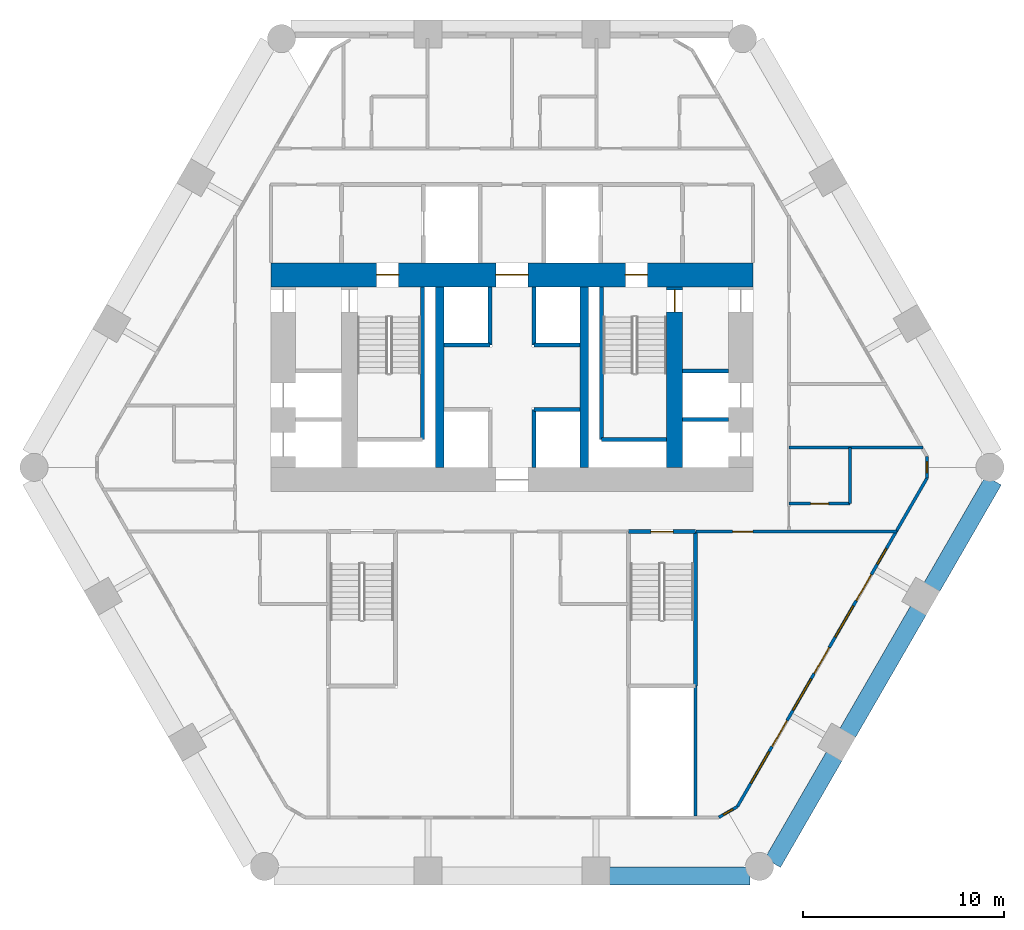
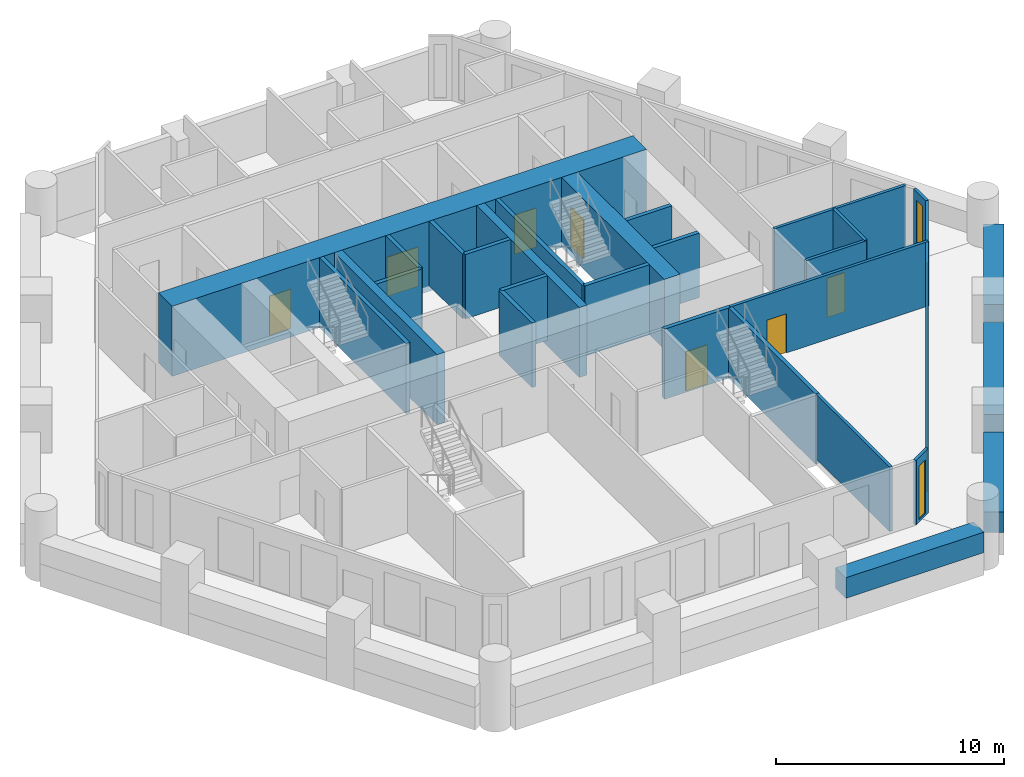
# One storey, part 4 of 8: 29 walls, 10 doors, 6 windows, 16 openings.
"""IFC4 building model written with IfcOpenShell, lengths in metres."""

from ifc_helpers import new_model, si_unit, direction, frame, frame_2d, origin, place, context, subcontext, project, spatial, rectangle, extrude, material, layer, layer_set, type_object, element, fill, save


model = new_model("IFC4")

# Units and contexts
model_context = context("Model", 3, precision=1e-05, world=origin(), true_north=direction((0.0, 1.0)))
body_context = subcontext(model_context, "Body", "Model", "MODEL_VIEW")
ifc_project = project(units=[si_unit("LENGTHUNIT", "METRE"), si_unit("AREAUNIT", "SQUARE_METRE"), si_unit("VOLUMEUNIT", "CUBIC_METRE"), si_unit("PLANEANGLEUNIT", "RADIAN"), si_unit("MASSUNIT", "GRAM", prefix="KILO")], contexts=[model_context])

# Site, building, storey
site_placement = place(None, origin())
site = spatial("IfcSite", under=ifc_project, at=site_placement, CompositionType="ELEMENT")
building_placement = place(site_placement, origin())
building = spatial("IfcBuilding", under=site, at=building_placement, Name="Ostrander Bayou Hotel Tower", CompositionType="ELEMENT")
storey_placement = place(building_placement, frame((0.0, 0.0, 50.5)))
storey = spatial("IfcBuildingStorey", under=building, at=storey_placement, Name="L12", CompositionType="ELEMENT", Elevation=50.5)

# Wall, openings, doors
ifc_material_1 = material(Name="Concrete f'c 70 MPa", Category="concrete")
ifc_layer_1 = layer(ifc_material_1, 1.199951171875)
ifc_layer_set_1 = layer_set([ifc_layer_1], Name="CW1 core wall 1200 mm f'c 70 MPa")
wall_type_1 = type_object("IfcWallType", Name="CW1 core wall 1200 mm f'c 70 MPa", PredefinedType="SHEAR", material=ifc_layer_set_1)
wall_1_placement = place(storey_placement, frame((-12.0, 9.10009765625, -0.300048828125), z_axis=(0.0, 0.0, 1.0), x_axis=(1.0, 0.0, 0.0)))
wall_1 = element("IfcWall", 1, at=wall_1_placement, inside=storey, type_object=wall_type_1, Name="CW1 L12 N", PredefinedType="SHEAR", context=body_context, shape_type="SweptSolid", body=[
    extrude(rectangle(XDim=24.0, YDim=1.199951171875, at=frame_2d((12.0, 0.0))), origin(), (0.0, 0.0, 1.0), 3.75),
])
opening_1_placement = place(wall_1_placement, frame((11.199951171875, 0.0, 0.0)))
opening_1 = element("IfcOpeningElement", 2, at=opening_1_placement, cuts=wall_1, Name="Opening T12-002", PredefinedType="OPENING", context=body_context, shape_type="SweptSolid", body=[
    extrude(rectangle(XDim=1.60009765625, YDim=2.10009765625, at=frame_2d((0.800048828125, 1.050048828125))), frame((0.0, 0.60009765625, 0.0), z_axis=(0.0, -1.0, 0.0), x_axis=(1.0, 0.0, 0.0)), (0.0, 0.0, 1.0), 1.199951171875),
])
opening_2_placement = place(wall_1_placement, frame((5.25, 0.0, 0.0)))
opening_2 = element("IfcOpeningElement", 3, at=opening_2_placement, cuts=wall_1, Name="Opening T12-003", PredefinedType="OPENING", context=body_context, shape_type="SweptSolid", body=[
    extrude(rectangle(XDim=1.10009765625, YDim=2.10009765625, at=frame_2d((0.550048828125, 1.050048828125))), frame((0.0, 0.60009765625, 0.0), z_axis=(0.0, -1.0, 0.0), x_axis=(1.0, 0.0, 0.0)), (0.0, 0.0, 1.0), 1.199951171875),
])
opening_3_placement = place(wall_1_placement, frame((17.64990234375, 0.0, 0.0)))
opening_3 = element("IfcOpeningElement", 4, at=opening_3_placement, cuts=wall_1, Name="Opening T12-005", PredefinedType="OPENING", context=body_context, shape_type="SweptSolid", body=[
    extrude(rectangle(XDim=1.10009765625, YDim=2.10009765625, at=frame_2d((0.550048828125, 1.050048828125))), frame((0.0, 0.60009765625, 0.0), z_axis=(0.0, -1.0, 0.0), x_axis=(1.0, 0.0, 0.0)), (0.0, 0.0, 1.0), 1.199951171875),
])
ifc_material_2 = material(Name="Timber door leaf", Category="wood")
door_type_1 = type_object("IfcDoorType", Name="D13 double door 1600 x 2100 mm, 1 hour", OperationType="SINGLE_SWING_LEFT", PredefinedType="DOOR", material=ifc_material_2)
door_1_placement = place(opening_1_placement, origin())
door_1 = element("IfcDoor", 5, at=door_1_placement, inside=storey, type_object=door_type_1, Name="dr:L12:002", OperationType="DOUBLE_DOOR_SINGLE_SWING", OverallHeight=2.10009765625, OverallWidth=1.60009765625, PredefinedType="DOOR", context=body_context, shape_type="SweptSolid", body=[
    extrude(rectangle(XDim=1.60009765625, YDim=2.10009765625, at=frame_2d((0.800048828125, 1.050048828125))), frame((0.0, 0.02490234375, 0.0), z_axis=(0.0, -1.0, 0.0), x_axis=(1.0, 0.0, 0.0)), (0.0, 0.0, 1.0), 0.050048828125),
])
fill(opening_1, door_1)
ifc_material_3 = material(Name="Timber door leaf", Category="wood")
door_type_2 = type_object("IfcDoorType", Name="D5 stair door 1100 x 2100 mm, 90 minute", OperationType="SINGLE_SWING_LEFT", PredefinedType="DOOR", material=ifc_material_3)
door_2_placement = place(opening_2_placement, origin())
door_2 = element("IfcDoor", 6, at=door_2_placement, inside=storey, type_object=door_type_2, Name="dr:L12:003", OperationType="SINGLE_SWING_LEFT", OverallHeight=2.10009765625, OverallWidth=1.10009765625, PredefinedType="DOOR", context=body_context, shape_type="SweptSolid", body=[
    extrude(rectangle(XDim=1.10009765625, YDim=2.10009765625, at=frame_2d((0.550048828125, 1.050048828125))), frame((0.0, 0.02490234375, 0.0), z_axis=(0.0, -1.0, 0.0), x_axis=(1.0, 0.0, 0.0)), (0.0, 0.0, 1.0), 0.050048828125),
])
fill(opening_2, door_2)
door_3_placement = place(opening_3_placement, origin())
door_3 = element("IfcDoor", 7, at=door_3_placement, inside=storey, type_object=door_type_2, Name="dr:L12:005", OperationType="SINGLE_SWING_RIGHT", OverallHeight=2.10009765625, OverallWidth=1.10009765625, PredefinedType="DOOR", context=body_context, shape_type="SweptSolid", body=[
    extrude(rectangle(XDim=1.10009765625, YDim=2.10009765625, at=frame_2d((0.550048828125, 1.050048828125))), frame((0.0, 0.02490234375, 0.0), z_axis=(0.0, -1.0, 0.0), x_axis=(1.0, 0.0, 0.0)), (0.0, 0.0, 1.0), 0.050048828125),
])
fill(opening_3, door_3)

# Wall, opening, door
ifc_material_4 = material(Name="Concrete f'c 70 MPa", Category="concrete")
ifc_layer_2 = layer(ifc_material_4, 0.800048828125)
ifc_layer_set_2 = layer_set([ifc_layer_2], Name="CW2 core spine wall 800 mm f'c 70 MPa")
wall_type_2 = type_object("IfcWallType", Name="CW2 core spine wall 800 mm f'c 70 MPa", PredefinedType="SHEAR", material=ifc_layer_set_2)
wall_2_placement = place(storey_placement, frame((8.10009765625, -0.5, -0.300048828125), z_axis=(0.0, 0.0, 1.0), x_axis=(0.0, 1.0, 0.0)))
wall_2 = element("IfcWall", 8, at=wall_2_placement, inside=storey, type_object=wall_type_2, Name="CW2 L12 E", PredefinedType="SHEAR", context=body_context, shape_type="SweptSolid", body=[
    extrude(rectangle(XDim=9.0, YDim=0.800048828125, at=frame_2d((4.5, 0.0))), origin(), (0.0, 0.0, 1.0), 3.75),
])
opening_4_placement = place(wall_2_placement, frame((7.75, 0.0, 0.0)))
opening_4 = element("IfcOpeningElement", 9, at=opening_4_placement, cuts=wall_2, Name="Opening T12-006", PredefinedType="OPENING", context=body_context, shape_type="SweptSolid", body=[
    extrude(rectangle(XDim=1.10009765625, YDim=2.10009765625, at=frame_2d((0.550048828125, 1.050048828125))), frame((0.0, 0.39990234375, 0.0), z_axis=(0.0, -1.0, 0.0), x_axis=(1.0, 0.0, 0.0)), (0.0, 0.0, 1.0), 0.800048828125),
])
door_4_placement = place(opening_4_placement, origin())
door_4 = element("IfcDoor", 10, at=door_4_placement, inside=storey, type_object=door_type_2, Name="dr:L12:006", OperationType="SINGLE_SWING_LEFT", OverallHeight=2.10009765625, OverallWidth=1.10009765625, PredefinedType="DOOR", context=body_context, shape_type="SweptSolid", body=[
    extrude(rectangle(XDim=1.10009765625, YDim=2.10009765625, at=frame_2d((0.550048828125, 1.050048828125))), frame((0.0, 0.02490234375, 0.0), z_axis=(0.0, -1.0, 0.0), x_axis=(1.0, 0.0, 0.0)), (0.0, 0.0, 1.0), 0.050048828125),
])
fill(opening_4, door_4)

# Walls
ifc_material_5 = material(Name="Concrete f'c 70 MPa", Category="concrete")
ifc_layer_3 = layer(ifc_material_5, 0.39990234375)
ifc_layer_set_3 = layer_set([ifc_layer_3], Name="CW3 core bank wall 400 mm f'c 70 MPa")
wall_type_3 = type_object("IfcWallType", Name="CW3 core bank wall 400 mm f'c 70 MPa", PredefinedType="SHEAR", material=ifc_layer_set_3)
for number, where, z_axis, x_axis, name in (
    (11, (-3.60009765625, -0.5, -0.300048828125), (0.0, 0.0, 1.0), (0.0, 1.0, 0.0), "CW3 L12 CW"),
    (12, (3.60009765625, -0.5, -0.300048828125), (0.0, 0.0, 1.0), (0.0, 1.0, 0.0), "CW3 L12 CE"),
):
    element("IfcWall", number, at=place(storey_placement, frame(where, z_axis=z_axis, x_axis=x_axis)), inside=storey, type_object=wall_type_3, Name=name, PredefinedType="SHEAR", context=body_context, shape_type="SweptSolid", body=[
        extrude(rectangle(XDim=9.0, YDim=0.39990234375, at=frame_2d((4.5, 0.0))), origin(), (0.0, 0.0, 1.0), 3.75),
    ])

# Wall, openings, doors, windows
ifc_material_6 = material(Name="Aluminium framed insulated wall", Category="aluminium")
ifc_layer_4 = layer(ifc_material_6, 0.14990234375)
ifc_layer_set_4 = layer_set([ifc_layer_4], Name="GW1 glass-line wall 150 mm")
wall_type_4 = type_object("IfcWallType", Name="GW1 glass-line wall 150 mm", PredefinedType="SOLIDWALL", material=ifc_layer_set_4)
wall_3_placement = place(storey_placement, frame((11.228515625, -17.401611328125, 0.0), z_axis=(0.0, 0.0, 1.0), x_axis=(0.500004426522, 0.866022848116, 0.0)))
wall_3 = element("IfcWall", 13, at=wall_3_placement, inside=storey, type_object=wall_type_4, Name="GW1 L12 SE 1", PredefinedType="SOLIDWALL", context=body_context, shape_type="SweptSolid", body=[
    extrude(rectangle(XDim=18.911865234375, YDim=0.14990234375, at=frame_2d((9.4560546875, 0.0))), origin(), (0.0, 0.0, 1.0), 3.449951171875),
])
opening_5_placement = place(wall_3_placement, frame((1.35595703125, 0.0, 0.14990234375)))
opening_5 = element("IfcOpeningElement", 14, at=opening_5_placement, cuts=wall_3, Name="Opening W1", PredefinedType="OPENING", context=body_context, shape_type="SweptSolid", body=[
    extrude(rectangle(XDim=1.800048828125, YDim=2.85009765625, at=frame_2d((0.89990234375, 1.425048828125))), frame((0.0, 0.074951171875, 0.0), z_axis=(0.0, -1.0, 0.0), x_axis=(1.0, 0.0, 0.0)), (0.0, 0.0, 1.0), 0.14990234375),
])
opening_6_placement = place(wall_3_placement, frame((3.455810546875, 0.0, 0.0)))
opening_6 = element("IfcOpeningElement", 15, at=opening_6_placement, cuts=wall_3, Name="Opening T12-804", PredefinedType="OPENING", context=body_context, shape_type="SweptSolid", body=[
    extrude(rectangle(XDim=1.5, YDim=2.39990234375, at=frame_2d((0.75, 1.199951171875))), frame((0.0, 0.074951171875, 0.0), z_axis=(0.0, -1.0, 0.0), x_axis=(1.0, 0.0, 0.0)), (0.0, 0.0, 1.0), 0.14990234375),
])
opening_7_placement = place(wall_3_placement, frame((5.555908203125, 0.0, 0.14990234375)))
opening_7 = element("IfcOpeningElement", 16, at=opening_7_placement, cuts=wall_3, Name="Opening W1", PredefinedType="OPENING", context=body_context, shape_type="SweptSolid", body=[
    extrude(rectangle(XDim=1.800048828125, YDim=2.85009765625, at=frame_2d((0.89990234375, 1.425048828125))), frame((0.0, 0.074951171875, 0.0), z_axis=(0.0, -1.0, 0.0), x_axis=(1.0, 0.0, 0.0)), (0.0, 0.0, 1.0), 0.14990234375),
])
opening_8_placement = place(wall_3_placement, frame((7.656005859375, 0.0, 0.0)))
opening_8 = element("IfcOpeningElement", 17, at=opening_8_placement, cuts=wall_3, Name="Opening T12-805", PredefinedType="OPENING", context=body_context, shape_type="SweptSolid", body=[
    extrude(rectangle(XDim=1.5, YDim=2.39990234375, at=frame_2d((0.75, 1.199951171875))), frame((0.0, 0.074951171875, 0.0), z_axis=(0.0, -1.0, 0.0), x_axis=(1.0, 0.0, 0.0)), (0.0, 0.0, 1.0), 0.14990234375),
])
opening_9_placement = place(wall_3_placement, frame((9.755859375, 0.0, 0.14990234375)))
opening_9 = element("IfcOpeningElement", 18, at=opening_9_placement, cuts=wall_3, Name="Opening W1", PredefinedType="OPENING", context=body_context, shape_type="SweptSolid", body=[
    extrude(rectangle(XDim=1.800048828125, YDim=2.85009765625, at=frame_2d((0.89990234375, 1.425048828125))), frame((0.0, 0.074951171875, 0.0), z_axis=(0.0, -1.0, 0.0), x_axis=(1.0, 0.0, 0.0)), (0.0, 0.0, 1.0), 0.14990234375),
])
opening_10_placement = place(wall_3_placement, frame((11.85595703125, 0.0, 0.0)))
opening_10 = element("IfcOpeningElement", 19, at=opening_10_placement, cuts=wall_3, Name="Opening T12-806", PredefinedType="OPENING", context=body_context, shape_type="SweptSolid", body=[
    extrude(rectangle(XDim=1.5, YDim=2.39990234375, at=frame_2d((0.75, 1.199951171875))), frame((0.0, 0.074951171875, 0.0), z_axis=(0.0, -1.0, 0.0), x_axis=(1.0, 0.0, 0.0)), (0.0, 0.0, 1.0), 0.14990234375),
])
opening_11_placement = place(wall_3_placement, frame((13.955810546875, 0.0, 0.14990234375)))
opening_11 = element("IfcOpeningElement", 20, at=opening_11_placement, cuts=wall_3, Name="Opening W15", PredefinedType="OPENING", context=body_context, shape_type="SweptSolid", body=[
    extrude(rectangle(XDim=0.89990234375, YDim=2.85009765625, at=frame_2d((0.449951171875, 1.425048828125))), frame((0.0, 0.074951171875, 0.0), z_axis=(0.0, -1.0, 0.0), x_axis=(1.0, 0.0, 0.0)), (0.0, 0.0, 1.0), 0.14990234375),
])
ifc_material_7 = material(Name="Aluminium and clear glass", Category="aluminium")
door_type_3 = type_object("IfcDoorType", Name="SD1 sliding glass door 1500 mm, zone 1", OperationType="SLIDING_TO_LEFT", PredefinedType="DOOR", material=ifc_material_7)
door_5_placement = place(opening_6_placement, origin())
door_5 = element("IfcDoor", 21, at=door_5_placement, inside=storey, type_object=door_type_3, Name="SD1 L12 SE 1", OperationType="SLIDING_TO_LEFT", OverallHeight=2.39990234375, OverallWidth=1.5, PredefinedType="DOOR", context=body_context, shape_type="SweptSolid", body=[
    extrude(rectangle(XDim=1.5, YDim=2.39990234375, at=frame_2d((0.75, 1.199951171875))), frame((0.0, 0.02490234375, 0.0), z_axis=(0.0, -1.0, 0.0), x_axis=(1.0, 0.0, 0.0)), (0.0, 0.0, 1.0), 0.050048828125),
])
fill(opening_6, door_5)
door_6_placement = place(opening_8_placement, origin())
door_6 = element("IfcDoor", 22, at=door_6_placement, inside=storey, type_object=door_type_3, Name="SD1 L12 SE 2", OperationType="SLIDING_TO_RIGHT", OverallHeight=2.39990234375, OverallWidth=1.5, PredefinedType="DOOR", context=body_context, shape_type="SweptSolid", body=[
    extrude(rectangle(XDim=1.5, YDim=2.39990234375, at=frame_2d((0.75, 1.199951171875))), frame((0.0, 0.02490234375, 0.0), z_axis=(0.0, -1.0, 0.0), x_axis=(1.0, 0.0, 0.0)), (0.0, 0.0, 1.0), 0.050048828125),
])
fill(opening_8, door_6)
door_7_placement = place(opening_10_placement, origin())
door_7 = element("IfcDoor", 23, at=door_7_placement, inside=storey, type_object=door_type_3, Name="SD1 L12 SE 3", OperationType="SLIDING_TO_LEFT", OverallHeight=2.39990234375, OverallWidth=1.5, PredefinedType="DOOR", context=body_context, shape_type="SweptSolid", body=[
    extrude(rectangle(XDim=1.5, YDim=2.39990234375, at=frame_2d((0.75, 1.199951171875))), frame((0.0, 0.02490234375, 0.0), z_axis=(0.0, -1.0, 0.0), x_axis=(1.0, 0.0, 0.0)), (0.0, 0.0, 1.0), 0.050048828125),
])
fill(opening_10, door_7)
ifc_material_8 = material(Name="Aluminium and clear glass", Category="aluminium")
window_type_1 = type_object("IfcWindowType", Name="W1 fixed window 1800 mm, zone 1", PartitioningType="SINGLE_PANEL", PredefinedType="WINDOW", material=ifc_material_8)
window_1_placement = place(opening_5_placement, origin())
window_1 = element("IfcWindow", 24, at=window_1_placement, inside=storey, type_object=window_type_1, Name="W1 L12 SE 1", OverallHeight=2.85009765625, OverallWidth=1.800048828125, PartitioningType="SINGLE_PANEL", PredefinedType="WINDOW", context=body_context, shape_type="SweptSolid", body=[
    extrude(rectangle(XDim=1.800048828125, YDim=2.85009765625, at=frame_2d((0.89990234375, 1.425048828125))), frame((0.0, 0.030029296875, 0.0), z_axis=(0.0, -1.0, 0.0), x_axis=(1.0, 0.0, 0.0)), (0.0, 0.0, 1.0), 0.06005859375),
])
fill(opening_5, window_1)
window_2_placement = place(opening_7_placement, origin())
window_2 = element("IfcWindow", 25, at=window_2_placement, inside=storey, type_object=window_type_1, Name="W1 L12 SE 2", OverallHeight=2.85009765625, OverallWidth=1.800048828125, PartitioningType="SINGLE_PANEL", PredefinedType="WINDOW", context=body_context, shape_type="SweptSolid", body=[
    extrude(rectangle(XDim=1.800048828125, YDim=2.85009765625, at=frame_2d((0.89990234375, 1.425048828125))), frame((0.0, 0.030029296875, 0.0), z_axis=(0.0, -1.0, 0.0), x_axis=(1.0, 0.0, 0.0)), (0.0, 0.0, 1.0), 0.06005859375),
])
fill(opening_7, window_2)
window_3_placement = place(opening_9_placement, origin())
window_3 = element("IfcWindow", 26, at=window_3_placement, inside=storey, type_object=window_type_1, Name="W1 L12 SE 3", OverallHeight=2.85009765625, OverallWidth=1.800048828125, PartitioningType="SINGLE_PANEL", PredefinedType="WINDOW", context=body_context, shape_type="SweptSolid", body=[
    extrude(rectangle(XDim=1.800048828125, YDim=2.85009765625, at=frame_2d((0.89990234375, 1.425048828125))), frame((0.0, 0.030029296875, 0.0), z_axis=(0.0, -1.0, 0.0), x_axis=(1.0, 0.0, 0.0)), (0.0, 0.0, 1.0), 0.06005859375),
])
fill(opening_9, window_3)
ifc_material_9 = material(Name="Aluminium and clear glass", Category="aluminium")
window_type_2 = type_object("IfcWindowType", Name="W15 window 900 mm, zone 1", PartitioningType="SINGLE_PANEL", PredefinedType="WINDOW", material=ifc_material_9)
window_4_placement = place(opening_11_placement, origin())
window_4 = element("IfcWindow", 27, at=window_4_placement, inside=storey, type_object=window_type_2, Name="W15 L12 SE 4", OverallHeight=2.85009765625, OverallWidth=0.89990234375, PartitioningType="SINGLE_PANEL", PredefinedType="WINDOW", context=body_context, shape_type="SweptSolid", body=[
    extrude(rectangle(XDim=0.89990234375, YDim=2.85009765625, at=frame_2d((0.449951171875, 1.425048828125))), frame((0.0, 0.030029296875, 0.0), z_axis=(0.0, -1.0, 0.0), x_axis=(1.0, 0.0, 0.0)), (0.0, 0.0, 1.0), 0.06005859375),
])
fill(opening_11, window_4)

# Wall, opening, window
wall_4_placement = place(storey_placement, frame((10.306396484375, -17.93408203125, 0.0), z_axis=(0.0, 0.0, 1.0), x_axis=(0.865990848561, 0.500059846627, 0.0)))
wall_4 = element("IfcWall", 28, at=wall_4_placement, inside=storey, type_object=wall_type_4, Name="GW1 L12 corner 4", PredefinedType="SOLIDWALL", context=body_context, shape_type="SweptSolid", body=[
    extrude(rectangle(XDim=1.064697265625, YDim=0.14990234375, at=frame_2d((0.5322265625, 0.0))), origin(), (0.0, 0.0, 1.0), 3.449951171875),
])
opening_12_placement = place(wall_4_placement, frame((0.257568359375, 0.0, 0.14990234375)))
opening_12 = element("IfcOpeningElement", 29, at=opening_12_placement, cuts=wall_4, Name="Opening W19", PredefinedType="OPENING", context=body_context, shape_type="SweptSolid", body=[
    extrude(rectangle(XDim=0.550048828125, YDim=2.85009765625, at=frame_2d((0.27490234375, 1.425048828125))), frame((0.0, 0.074951171875, 0.0), z_axis=(0.0, -1.0, 0.0), x_axis=(1.0, 0.0, 0.0)), (0.0, 0.0, 1.0), 0.14990234375),
])
ifc_material_10 = material(Name="Aluminium and clear glass", Category="aluminium")
window_type_3 = type_object("IfcWindowType", Name="W19 corner window 550 mm", PartitioningType="SINGLE_PANEL", PredefinedType="WINDOW", material=ifc_material_10)
window_5_placement = place(opening_12_placement, origin())
window_5 = element("IfcWindow", 30, at=window_5_placement, inside=storey, type_object=window_type_3, Name="W19 L12 corner 4", OverallHeight=2.85009765625, OverallWidth=0.550048828125, PartitioningType="SINGLE_PANEL", PredefinedType="WINDOW", context=body_context, shape_type="SweptSolid", body=[
    extrude(rectangle(XDim=0.550048828125, YDim=2.85009765625, at=frame_2d((0.27490234375, 1.425048828125))), frame((0.0, 0.030029296875, 0.0), z_axis=(0.0, -1.0, 0.0), x_axis=(1.0, 0.0, 0.0)), (0.0, 0.0, 1.0), 0.06005859375),
])
fill(opening_12, window_5)

wall_5_placement = place(storey_placement, frame((20.6845703125, -1.0234375, 0.0), z_axis=(0.0, 0.0, 1.0), x_axis=(0.0, 1.0, 0.0)))
wall_5 = element("IfcWall", 31, at=wall_5_placement, inside=storey, type_object=wall_type_4, Name="GW1 L12 corner 5", PredefinedType="SOLIDWALL", context=body_context, shape_type="SweptSolid", body=[
    extrude(rectangle(XDim=1.06494140625, YDim=0.14990234375, at=frame_2d((0.532470703125, 0.0))), origin(), (0.0, 0.0, 1.0), 3.449951171875),
])
opening_13_placement = place(wall_5_placement, frame((0.257568359375, 0.0, 0.14990234375)))
opening_13 = element("IfcOpeningElement", 32, at=opening_13_placement, cuts=wall_5, Name="Opening W19", PredefinedType="OPENING", context=body_context, shape_type="SweptSolid", body=[
    extrude(rectangle(XDim=0.550048828125, YDim=2.85009765625, at=frame_2d((0.27490234375, 1.425048828125))), frame((0.0, 0.074951171875, 0.0), z_axis=(0.0, -1.0, 0.0), x_axis=(1.0, 0.0, 0.0)), (0.0, 0.0, 1.0), 0.14990234375),
])
window_6_placement = place(opening_13_placement, origin())
window_6 = element("IfcWindow", 33, at=window_6_placement, inside=storey, type_object=window_type_3, Name="W19 L12 corner 5", OverallHeight=2.85009765625, OverallWidth=0.550048828125, PartitioningType="SINGLE_PANEL", PredefinedType="WINDOW", context=body_context, shape_type="SweptSolid", body=[
    extrude(rectangle(XDim=0.550048828125, YDim=2.85009765625, at=frame_2d((0.27490234375, 1.425048828125))), frame((0.0, 0.030029296875, 0.0), z_axis=(0.0, -1.0, 0.0), x_axis=(1.0, 0.0, 0.0)), (0.0, 0.0, 1.0), 0.06005859375),
])
fill(opening_13, window_6)

# Walls
ifc_material_11 = material(Name="Concrete f'c 40 MPa", Category="concrete")
ifc_layer_5 = layer(ifc_material_11, 0.89990234375)
ifc_layer_set_5 = layer_set([ifc_layer_5], Name="PA1 stone-faced parapet 900 mm")
wall_type_5 = type_object("IfcWallType", Name="PA1 stone-faced parapet 900 mm", PredefinedType="PARAPET", material=ifc_layer_set_5)
wall_6_placement = place(storey_placement, frame((4.865478515625, -20.85888671875, 0.0), z_axis=(0.0, 0.0, 1.0), x_axis=(1.0, 0.0, 0.0)))
element("IfcWall", 34, at=wall_6_placement, inside=storey, type_object=wall_type_5, Name="PA1 L12 S-3", PredefinedType="PARAPET", context=body_context, shape_type="SweptSolid", body=[
    extrude(rectangle(XDim=6.98681640625, YDim=0.89990234375, at=frame_2d((3.493408203125, 0.0))), origin(), (0.0, 0.0, 1.0), 1.10009765625),
])
ifc_material_12 = material(Name="Limestone masonry", Category="masonry")
ifc_layer_6 = layer(ifc_material_12, 0.89990234375)
ifc_layer_set_6 = layer_set([ifc_layer_6], Name="PA2 limestone parapet 900 mm")
wall_type_6 = type_object("IfcWallType", Name="PA2 limestone parapet 900 mm", PredefinedType="PARAPET", material=ifc_layer_set_6)
wall_7_placement = place(storey_placement, frame((12.988525390625, -20.203125, 0.0), z_axis=(0.0, 0.0, 1.0), x_axis=(0.500007141444, 0.86602128063, 0.0)))
element("IfcWall", 35, at=wall_7_placement, inside=storey, type_object=wall_type_6, Name="PA2 L12 SE-1", PredefinedType="PARAPET", context=body_context, shape_type="SweptSolid", body=[
    extrude(rectangle(XDim=6.13671875, YDim=0.89990234375, at=frame_2d((3.068359375, 0.0))), origin(), (0.0, 0.0, 1.0), 1.10009765625),
])
wall_8_placement = place(storey_placement, frame((16.726806640625, -13.72802734375, 0.0), z_axis=(0.0, 0.0, 1.0), x_axis=(0.499997206141, 0.866027016814, 0.0)))
element("IfcWall", 36, at=wall_8_placement, inside=storey, type_object=wall_type_6, Name="PA2 L12 SE-2", PredefinedType="PARAPET", context=body_context, shape_type="SweptSolid", body=[
    extrude(rectangle(XDim=7.05078125, YDim=0.89990234375, at=frame_2d((3.525390625, 0.0))), origin(), (0.0, 0.0, 1.0), 1.10009765625),
])
wall_9_placement = place(storey_placement, frame((20.92236328125, -6.46142578125, 0.0), z_axis=(0.0, 0.0, 1.0), x_axis=(0.500007141444, 0.86602128063, 0.0)))
element("IfcWall", 37, at=wall_9_placement, inside=storey, type_object=wall_type_6, Name="PA2 L12 SE-3", PredefinedType="PARAPET", context=body_context, shape_type="SweptSolid", body=[
    extrude(rectangle(XDim=6.13671875, YDim=0.89990234375, at=frame_2d((3.068359375, 0.0))), origin(), (0.0, 0.0, 1.0), 1.10009765625),
])
ifc_material_13 = material(Name="Masonry block", Category="masonry")
ifc_layer_7 = layer(ifc_material_13, 0.199951171875)
ifc_layer_set_7 = layer_set([ifc_layer_7], Name="PT6 lift shaft wall 200 mm masonry, 2 hour")
wall_type_7 = type_object("IfcWallType", Name="PT6 lift shaft wall 200 mm masonry, 2 hour", PredefinedType="PARTITIONING", material=ifc_layer_set_7)
for number, where, z_axis, x_axis, name in (
    (38, (-3.39990234375, 5.60009765625, 0.0), (0.0, 0.0, 1.0), (1.0, 0.0, 0.0), "cs:L12:002"),
    (39, (1.10009765625, 2.39990234375, 0.0), (0.0, 0.0, 1.0), (1.0, 0.0, 0.0), "cs:L12:003"),
    (40, (1.10009765625, 5.60009765625, 0.0), (0.0, 0.0, 1.0), (1.0, 0.0, 0.0), "cs:L12:004"),
):
    element("IfcWall", number, at=place(storey_placement, frame(where, z_axis=z_axis, x_axis=x_axis)), inside=storey, type_object=wall_type_7, Name=name, PredefinedType="PARTITIONING", context=body_context, shape_type="SweptSolid", body=[
        extrude(rectangle(XDim=2.2998046875, YDim=0.199951171875, at=frame_2d((1.14990234375, 0.0))), origin(), (0.0, 0.0, 1.0), 3.449951171875),
    ])
for number, where, z_axis, x_axis, name in (
    (41, (1.10009765625, -0.5, 0.0), (0.0, 0.0, 1.0), (0.0, 1.0, 0.0), "cs:L12:006"),
    (42, (-1.10009765625, 5.60009765625, 0.0), (0.0, 0.0, 1.0), (0.0, 1.0, 0.0), "cs:L12:007"),
    (43, (1.10009765625, 5.60009765625, 0.0), (0.0, 0.0, 1.0), (0.0, 1.0, 0.0), "cs:L12:008"),
):
    element("IfcWall", number, at=place(storey_placement, frame(where, z_axis=z_axis, x_axis=x_axis)), inside=storey, type_object=wall_type_7, Name=name, PredefinedType="PARTITIONING", context=body_context, shape_type="SweptSolid", body=[
        extrude(rectangle(XDim=2.89990234375, YDim=0.199951171875, at=frame_2d((1.449951171875, 0.0))), origin(), (0.0, 0.0, 1.0), 3.449951171875),
    ])
for number, where, z_axis, x_axis, name in (
    (44, (8.5, 1.89990234375, 0.0), (0.0, 0.0, 1.0), (1.0, 0.0, 0.0), "cs:L12:032"),
    (45, (8.5, 4.300048828125, 0.0), (0.0, 0.0, 1.0), (1.0, 0.0, 0.0), "cs:L12:033"),
):
    element("IfcWall", number, at=place(storey_placement, frame(where, z_axis=z_axis, x_axis=x_axis)), inside=storey, type_object=wall_type_7, Name=name, PredefinedType="PARTITIONING", context=body_context, shape_type="SweptSolid", body=[
        extrude(rectangle(XDim=2.300048828125, YDim=0.199951171875, at=frame_2d((1.14990234375, 0.0))), origin(), (0.0, 0.0, 1.0), 3.449951171875),
    ])
ifc_material_14 = material(Name="Gypsum board partition", Category="finish")
ifc_layer_8 = layer(ifc_material_14, 0.14990234375)
ifc_layer_set_8 = layer_set([ifc_layer_8], Name="PT7 riser wall 150 mm, 2 hour")
wall_type_8 = type_object("IfcWallType", Name="PT7 riser wall 150 mm, 2 hour", PredefinedType="PARTITIONING", material=ifc_layer_set_8)
wall_10_placement = place(storey_placement, frame((9.14990234375, -11.39990234375, 0.0), z_axis=(0.0, 0.0, 1.0), x_axis=(0.0, -1.0, 0.0)))
element("IfcWall", 46, at=wall_10_placement, inside=storey, type_object=wall_type_8, Name="cs:L12:018", PredefinedType="PARTITIONING", context=body_context, shape_type="SweptSolid", body=[
    extrude(rectangle(XDim=6.458984375, YDim=0.14990234375, at=frame_2d((3.2294921875, 0.0))), origin(), (0.0, 0.0, 1.0), 3.449951171875),
])

# Wall, opening, door
ifc_material_15 = material(Name="Gypsum board partition", Category="finish")
ifc_layer_9 = layer(ifc_material_15, 0.14990234375)
ifc_layer_set_9 = layer_set([ifc_layer_9], Name="PT8 service band wall 150 mm, 1 hour")
wall_type_9 = type_object("IfcWallType", Name="PT8 service band wall 150 mm, 1 hour", PredefinedType="PARTITIONING", material=ifc_layer_set_9)
wall_11_placement = place(storey_placement, frame((9.159912109375, -3.699951171875, 0.0), z_axis=(0.0, 0.0, 1.0), x_axis=(1.0, 0.0, 0.0)))
wall_11 = element("IfcWall", 47, at=wall_11_placement, inside=storey, type_object=wall_type_9, Name="gw:L12:005", PredefinedType="PARTITIONING", context=body_context, shape_type="SweptSolid", body=[
    extrude(rectangle(XDim=10.031005859375, YDim=0.14990234375, at=frame_2d((5.015625, 0.0))), origin(), (0.0, 0.0, 1.0), 3.449951171875),
])
opening_14_placement = place(wall_11_placement, frame((1.840087890625, 0.0, 0.0)))
opening_14 = element("IfcOpeningElement", 48, at=opening_14_placement, cuts=wall_11, Name="Opening T12-405", PredefinedType="OPENING", context=body_context, shape_type="SweptSolid", body=[
    extrude(rectangle(XDim=1.0, YDim=2.10009765625, at=frame_2d((0.5, 1.050048828125))), frame((0.0, 0.074951171875, 0.0), z_axis=(0.0, -1.0, 0.0), x_axis=(1.0, 0.0, 0.0)), (0.0, 0.0, 1.0), 0.14990234375),
])
ifc_material_16 = material(Name="Timber door leaf", Category="wood")
door_type_4 = type_object("IfcDoorType", Name="D15 room door 1000 x 2100 mm", OperationType="SINGLE_SWING_LEFT", PredefinedType="DOOR", material=ifc_material_16)
door_8_placement = place(opening_14_placement, origin())
door_8 = element("IfcDoor", 49, at=door_8_placement, inside=storey, type_object=door_type_4, Name="dr:L12:405", OperationType="SINGLE_SWING_LEFT", OverallHeight=2.10009765625, OverallWidth=1.0, PredefinedType="DOOR", context=body_context, shape_type="SweptSolid", body=[
    extrude(rectangle(XDim=1.0, YDim=2.10009765625, at=frame_2d((0.5, 1.050048828125))), frame((0.0, 0.02490234375, 0.0), z_axis=(0.0, -1.0, 0.0), x_axis=(1.0, 0.0, 0.0)), (0.0, 0.0, 1.0), 0.050048828125),
])
fill(opening_14, door_8)

wall_12_placement = place(storey_placement, frame((13.800048828125, -2.300048828125, 0.0), z_axis=(0.0, 0.0, 1.0), x_axis=(1.0, 0.0, 0.0)))
wall_12 = element("IfcWall", 50, at=wall_12_placement, inside=storey, type_object=wall_type_9, Name="gw:L12:006", PredefinedType="PARTITIONING", context=body_context, shape_type="SweptSolid", body=[
    extrude(rectangle(XDim=3.050048828125, YDim=0.14990234375, at=frame_2d((1.52490234375, 0.0))), origin(), (0.0, 0.0, 1.0), 3.449951171875),
])
opening_15_placement = place(wall_12_placement, frame((1.074951171875, 0.0, 0.0)))
opening_15 = element("IfcOpeningElement", 51, at=opening_15_placement, cuts=wall_12, Name="Opening T12-411", PredefinedType="OPENING", context=body_context, shape_type="SweptSolid", body=[
    extrude(rectangle(XDim=0.89990234375, YDim=2.10009765625, at=frame_2d((0.449951171875, 1.050048828125))), frame((0.0, 0.074951171875, 0.0), z_axis=(0.0, -1.0, 0.0), x_axis=(1.0, 0.0, 0.0)), (0.0, 0.0, 1.0), 0.14990234375),
])
ifc_material_17 = material(Name="Timber door leaf", Category="wood")
door_type_5 = type_object("IfcDoorType", Name="D14 bathroom door 900 x 2100 mm", OperationType="SINGLE_SWING_LEFT", PredefinedType="DOOR", material=ifc_material_17)
door_9_placement = place(opening_15_placement, origin())
door_9 = element("IfcDoor", 52, at=door_9_placement, inside=storey, type_object=door_type_5, Name="dr:L12:411", OperationType="SINGLE_SWING_LEFT", OverallHeight=2.10009765625, OverallWidth=0.89990234375, PredefinedType="DOOR", context=body_context, shape_type="SweptSolid", body=[
    extrude(rectangle(XDim=0.89990234375, YDim=2.10009765625, at=frame_2d((0.449951171875, 1.050048828125))), frame((0.0, 0.02490234375, 0.0), z_axis=(0.0, -1.0, 0.0), x_axis=(1.0, 0.0, 0.0)), (0.0, 0.0, 1.0), 0.050048828125),
])
fill(opening_15, door_9)

# Walls
wall_13_placement = place(storey_placement, frame((13.800048828125, 0.5, 0.0), z_axis=(0.0, 0.0, 1.0), x_axis=(1.0, 0.0, 0.0)))
element("IfcWall", 53, at=wall_13_placement, inside=storey, type_object=wall_type_9, Name="gw:L12:009", PredefinedType="PARTITIONING", context=body_context, shape_type="SweptSolid", body=[
    extrude(rectangle(XDim=6.671875, YDim=0.14990234375, at=frame_2d((3.3359375, 0.0))), origin(), (0.0, 0.0, 1.0), 3.449951171875),
])
wall_14_placement = place(storey_placement, frame((16.85009765625, -2.300048828125, 0.0), z_axis=(0.0, 0.0, 1.0), x_axis=(0.0, 1.0, 0.0)))
element("IfcWall", 54, at=wall_14_placement, inside=storey, type_object=wall_type_9, Name="gw:L12:018", PredefinedType="PARTITIONING", context=body_context, shape_type="SweptSolid", body=[
    extrude(rectangle(XDim=2.800048828125, YDim=0.14990234375, at=frame_2d((1.39990234375, 0.0))), origin(), (0.0, 0.0, 1.0), 3.449951171875),
])
ifc_material_18 = material(Name="Concrete f'c 45 MPa", Category="concrete")
ifc_layer_10 = layer(ifc_material_18, 0.199951171875)
ifc_layer_set_10 = layer_set([ifc_layer_10], Name="SW5 stair enclosure wall 200 mm f'c 45 MPa")
wall_type_10 = type_object("IfcWallType", Name="SW5 stair enclosure wall 200 mm f'c 45 MPa", PredefinedType="SOLIDWALL", material=ifc_layer_set_10)
for number, where, z_axis, x_axis, name in (
    (55, (-4.449951171875, 0.89990234375, -0.300048828125), (0.0, 0.0, 1.0), (0.0, 1.0, 0.0), "cs:L12:009"),
    (56, (4.449951171875, 0.89990234375, -0.300048828125), (0.0, 0.0, 1.0), (0.0, 1.0, 0.0), "cs:L12:011"),
):
    element("IfcWall", number, at=place(storey_placement, frame(where, z_axis=z_axis, x_axis=x_axis)), inside=storey, type_object=wall_type_10, Name=name, PredefinedType="SOLIDWALL", context=body_context, shape_type="SweptSolid", body=[
        extrude(rectangle(XDim=7.60009765625, YDim=0.199951171875, at=frame_2d((3.800048828125, 0.0))), origin(), (0.0, 0.0, 1.0), 3.75),
    ])
wall_15_placement = place(storey_placement, frame((4.449951171875, 0.89990234375, -0.300048828125), z_axis=(0.0, 0.0, 1.0), x_axis=(1.0, 0.0, 0.0)))
element("IfcWall", 57, at=wall_15_placement, inside=storey, type_object=wall_type_10, Name="cs:L12:012", PredefinedType="SOLIDWALL", context=body_context, shape_type="SweptSolid", body=[
    extrude(rectangle(XDim=3.25, YDim=0.199951171875, at=frame_2d((1.625, 0.0))), origin(), (0.0, 0.0, 1.0), 3.75),
])

# Wall, opening, door
wall_16_placement = place(storey_placement, frame((5.800048828125, -3.699951171875, -0.300048828125), z_axis=(0.0, 0.0, 1.0), x_axis=(1.0, 0.0, 0.0)))
wall_16 = element("IfcWall", 58, at=wall_16_placement, inside=storey, type_object=wall_type_10, Name="cs:L12:013", PredefinedType="SOLIDWALL", context=body_context, shape_type="SweptSolid", body=[
    extrude(rectangle(XDim=3.349853515625, YDim=0.199951171875, at=frame_2d((1.6748046875, 0.0))), origin(), (0.0, 0.0, 1.0), 3.75),
])
opening_16_placement = place(wall_16_placement, frame((1.125, 0.0, 0.0)))
opening_16 = element("IfcOpeningElement", 59, at=opening_16_placement, cuts=wall_16, Name="Opening T12-007", PredefinedType="OPENING", context=body_context, shape_type="SweptSolid", body=[
    extrude(rectangle(XDim=1.10009765625, YDim=2.10009765625, at=frame_2d((0.550048828125, 1.050048828125))), frame((0.0, 0.10009765625, 0.0), z_axis=(0.0, -1.0, 0.0), x_axis=(1.0, 0.0, 0.0)), (0.0, 0.0, 1.0), 0.199951171875),
])
door_10_placement = place(opening_16_placement, origin())
door_10 = element("IfcDoor", 60, at=door_10_placement, inside=storey, type_object=door_type_2, Name="dr:L12:007", OperationType="SINGLE_SWING_LEFT", OverallHeight=2.10009765625, OverallWidth=1.10009765625, PredefinedType="DOOR", context=body_context, shape_type="SweptSolid", body=[
    extrude(rectangle(XDim=1.10009765625, YDim=2.10009765625, at=frame_2d((0.550048828125, 1.050048828125))), frame((0.0, 0.02490234375, 0.0), z_axis=(0.0, -1.0, 0.0), x_axis=(1.0, 0.0, 0.0)), (0.0, 0.0, 1.0), 0.050048828125),
])
fill(opening_16, door_10)

# Wall
wall_17_placement = place(storey_placement, frame((9.14990234375, -3.699951171875, -0.300048828125), z_axis=(0.0, 0.0, 1.0), x_axis=(0.0, -1.0, 0.0)))
element("IfcWall", 61, at=wall_17_placement, inside=storey, type_object=wall_type_10, Name="cs:L12:015", PredefinedType="SOLIDWALL", context=body_context, shape_type="SweptSolid", body=[
    extrude(rectangle(XDim=7.699951171875, YDim=0.199951171875, at=frame_2d((3.85009765625, 0.0))), origin(), (0.0, 0.0, 1.0), 3.75),
])

save(model, "model.ifc")
